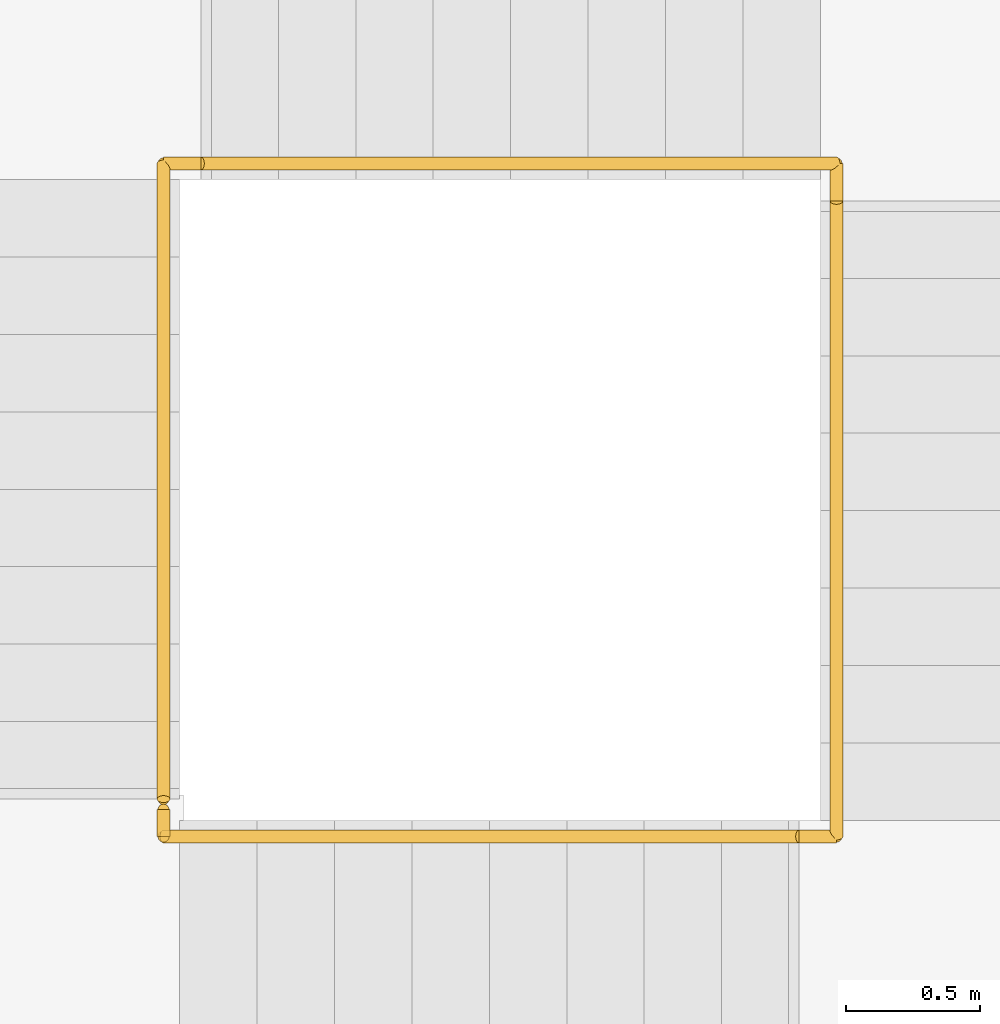
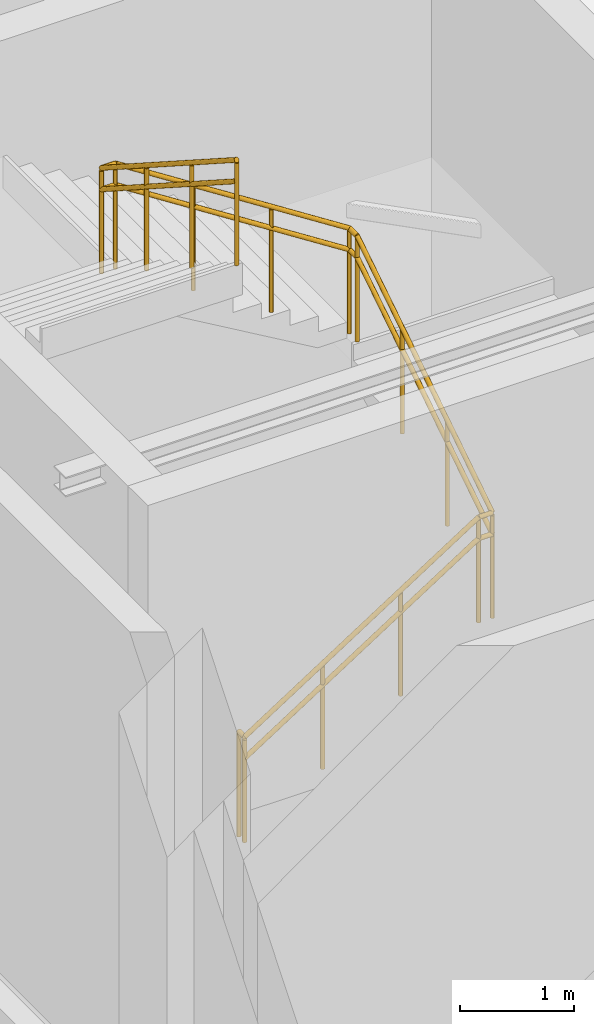
# One storey, part 54 of 58: 3 railings.
"""IFC4 building model written with IfcOpenShell, lengths in metres."""

from ifc_helpers import new_model, si_unit, direction, frame, origin, origin_2d, place, context, subcontext, project, spatial, circle, extrude, material, type_object, element, save


model = new_model("IFC4")

# Units and contexts
model_context = context("Model", 3, precision=1e-05, world=origin(), true_north=direction((0.0, 1.0)))
body_context = subcontext(model_context, "Body", "Model", "MODEL_VIEW")
ifc_project = project(units=[si_unit("LENGTHUNIT", "METRE"), si_unit("AREAUNIT", "SQUARE_METRE"), si_unit("VOLUMEUNIT", "CUBIC_METRE"), si_unit("PLANEANGLEUNIT", "RADIAN"), si_unit("MASSUNIT", "GRAM", prefix="KILO")], contexts=[model_context])

# Site, building, storey
site_placement = place(None, origin())
site = spatial("IfcSite", under=ifc_project, at=site_placement, CompositionType="ELEMENT")
building_placement = place(site_placement, origin())
building = spatial("IfcBuilding", under=site, at=building_placement, Name="Sillaruma Civic Art Gallery", CompositionType="ELEMENT")
storey_placement = place(building_placement, frame((0.0, 0.0, 22.43994140625)))
storey = spatial("IfcBuildingStorey", under=building, at=storey_placement, Name="L04", CompositionType="ELEMENT", Elevation=22.43994140625)

# Railings
ifc_material = material(Name="Stainless Steel AISI 316", Category="steel")
railing_type_1 = type_object("IfcRailingType", Name="RAL-BAL-1150", PredefinedType="BALUSTRADE", material=ifc_material)
railing_1_placement = place(storey_placement, frame((64.739990234375, 33.389892578125, 0.0)))
element("IfcRailing", 1, at=railing_1_placement, inside=storey, type_object=railing_type_1, Name="Stair Floor Edge Guard (ST-03:L04)", PredefinedType="BALUSTRADE", context=body_context, shape_type="SweptSolid", body=[
    extrude(circle(Radius=0.02392578125, at=origin_2d()), frame((0.0, 0.0, 1.1259765625), z_axis=(0.0, 1.0, 0.0), x_axis=(-1.0, 0.0, 0.0)), (0.0, 0.0, 1.0), 0.10009765625),
    extrude(circle(Radius=0.02099609375, at=origin_2d()), origin(), (0.0, 0.0, 1.0), 1.101806640625),
    extrude(circle(Radius=0.02099609375, at=origin_2d()), frame((0.0, 0.10009765625, 0.0)), (0.0, 0.0, 1.0), 1.101806640625),
])
railing_2_placement = place(storey_placement, frame((64.739990234375, 33.389892578125, 0.0)))
element("IfcRailing", 2, at=railing_2_placement, inside=storey, type_object=railing_type_1, Name="Stair Well Balustrade (ST-03-L04)", PredefinedType="BALUSTRADE", context=body_context, shape_type="SweptSolid", body=[
    extrude(circle(Radius=0.02392578125, at=origin_2d()), frame((0.0, 0.0, 1.1259765625), z_axis=(0.84118688567, 0.0, 0.540744508411), x_axis=(0.0, 1.0, 0.0)), (0.0, 0.0, 1.0), 2.82958984375),
    extrude(circle(Radius=0.02392578125, at=origin_2d()), frame((2.380126953125, 0.0, 2.65576171875), z_axis=(1.0, 0.0, 0.0), x_axis=(0.0, 1.0, 0.0)), (0.0, 0.0, 1.0), 0.139892578125),
    extrude(circle(Radius=0.02392578125, at=origin_2d()), frame((2.52001953125, 0.0, 2.65576171875), z_axis=(0.0, 0.84118688567, 0.540744508411), x_axis=(-1.0, 0.0, 0.0)), (0.0, 0.0, 1.0), 2.82958984375),
    extrude(circle(Radius=0.02392578125, at=origin_2d()), frame((2.52001953125, 2.380126953125, 4.18603515625), z_axis=(0.0, 1.0, 0.0), x_axis=(-1.0, 0.0, 0.0)), (0.0, 0.0, 1.0), 0.139892578125),
    extrude(circle(Radius=0.02392578125, at=origin_2d()), frame((2.52001953125, 2.52001953125, 4.18603515625), z_axis=(-0.84118688567, 0.0, 0.540744508411), x_axis=(0.0, -1.0, 0.0)), (0.0, 0.0, 1.0), 2.82958984375),
    extrude(circle(Radius=0.02392578125, at=origin_2d()), frame((0.139892578125, 2.52001953125, 5.7158203125), z_axis=(-1.0, 0.0, 0.0), x_axis=(0.0, -1.0, 0.0)), (0.0, 0.0, 1.0), 0.139892578125),
    extrude(circle(Radius=0.02392578125, at=origin_2d()), frame((0.0, 2.52001953125, 5.7158203125), z_axis=(0.0, -0.841161652958, 0.540783758626), x_axis=(1.0, 0.0, 0.0)), (0.0, 0.0, 1.0), 2.829345703125),
    extrude(circle(Radius=0.02099609375, at=origin_2d()), origin(), (0.0, 0.0, 1.0), 1.101806640625),
    extrude(circle(Radius=0.02099609375, at=origin_2d()), frame((0.79345703125, 0.0, 0.510009765625)), (0.0, 0.0, 1.0), 1.101806640625),
    extrude(circle(Radius=0.02099609375, at=origin_2d()), frame((1.586669921875, 0.0, 1.02001953125)), (0.0, 0.0, 1.0), 1.101806640625),
    extrude(circle(Radius=0.02099609375, at=origin_2d()), frame((2.380126953125, 0.0, 1.530029296875)), (0.0, 0.0, 1.0), 1.101806640625),
    extrude(circle(Radius=0.02099609375, at=origin_2d()), frame((2.52001953125, 0.0, 1.530029296875)), (0.0, 0.0, 1.0), 1.101806640625),
    extrude(circle(Radius=0.02099609375, at=origin_2d()), frame((2.52001953125, 0.79345703125, 2.0400390625)), (0.0, 0.0, 1.0), 1.101806640625),
    extrude(circle(Radius=0.02099609375, at=origin_2d()), frame((2.52001953125, 1.586669921875, 2.550048828125)), (0.0, 0.0, 1.0), 1.101806640625),
    extrude(circle(Radius=0.02099609375, at=origin_2d()), frame((2.52001953125, 2.380126953125, 3.06005859375)), (0.0, 0.0, 1.0), 1.101806640625),
    extrude(circle(Radius=0.02099609375, at=origin_2d()), frame((2.52001953125, 2.52001953125, 3.06005859375)), (0.0, 0.0, 1.0), 1.101806640625),
    extrude(circle(Radius=0.02099609375, at=origin_2d()), frame((1.7265625, 2.52001953125, 3.570068359375)), (0.0, 0.0, 1.0), 1.101806640625),
    extrude(circle(Radius=0.02099609375, at=origin_2d()), frame((0.933349609375, 2.52001953125, 4.080078125)), (0.0, 0.0, 1.0), 1.101806640625),
    extrude(circle(Radius=0.02099609375, at=origin_2d()), frame((0.139892578125, 2.52001953125, 4.590087890625)), (0.0, 0.0, 1.0), 1.101806640625),
    extrude(circle(Radius=0.02099609375, at=origin_2d()), frame((0.0, 2.52001953125, 4.590087890625)), (0.0, 0.0, 1.0), 1.101806640625),
    extrude(circle(Radius=0.02099609375, at=origin_2d()), frame((0.0, 1.726806640625, 5.10009765625)), (0.0, 0.0, 1.0), 1.101806640625),
    extrude(circle(Radius=0.02099609375, at=origin_2d()), frame((0.0, 0.933349609375, 5.610107421875)), (0.0, 0.0, 1.0), 1.101806640625),
    extrude(circle(Radius=0.02099609375, at=origin_2d()), frame((0.0, 0.14013671875, 6.1201171875)), (0.0, 0.0, 1.0), 1.101806640625),
])
railing_type_2 = type_object("IfcRailingType", Name="RAL-HND-920", PredefinedType="HANDRAIL", material=ifc_material)
railing_3_placement = place(storey_placement, frame((64.739990234375, 33.389892578125, 0.0)))
element("IfcRailing", 3, at=railing_3_placement, inside=storey, type_object=railing_type_2, Name="Stair Continuous Handrail (ST-03-L04)", PredefinedType="HANDRAIL", context=body_context, shape_type="SweptSolid", body=[
    extrude(circle(Radius=0.02392578125, at=origin_2d()), frame((0.0, 0.0, 0.89599609375), z_axis=(0.84118688567, 0.0, 0.540744508411), x_axis=(0.0, 1.0, 0.0)), (0.0, 0.0, 1.0), 2.82958984375),
    extrude(circle(Radius=0.02392578125, at=origin_2d()), frame((2.380126953125, 0.0, 2.42578125), z_axis=(1.0, 0.0, 0.0), x_axis=(0.0, 1.0, 0.0)), (0.0, 0.0, 1.0), 0.139892578125),
    extrude(circle(Radius=0.02392578125, at=origin_2d()), frame((2.52001953125, 0.0, 2.42578125), z_axis=(0.0, 0.84118688567, 0.540744508411), x_axis=(-1.0, 0.0, 0.0)), (0.0, 0.0, 1.0), 2.82958984375),
    extrude(circle(Radius=0.02392578125, at=origin_2d()), frame((2.52001953125, 2.380126953125, 3.9560546875), z_axis=(0.0, 1.0, 0.0), x_axis=(-1.0, 0.0, 0.0)), (0.0, 0.0, 1.0), 0.139892578125),
    extrude(circle(Radius=0.02392578125, at=origin_2d()), frame((2.52001953125, 2.52001953125, 3.9560546875), z_axis=(-0.84118688567, 0.0, 0.540744508411), x_axis=(0.0, -1.0, 0.0)), (0.0, 0.0, 1.0), 2.82958984375),
    extrude(circle(Radius=0.02392578125, at=origin_2d()), frame((0.139892578125, 2.52001953125, 5.48583984375), z_axis=(-1.0, 0.0, 0.0), x_axis=(0.0, -1.0, 0.0)), (0.0, 0.0, 1.0), 0.139892578125),
    extrude(circle(Radius=0.02392578125, at=origin_2d()), frame((0.0, 2.52001953125, 5.48583984375), z_axis=(0.0, -0.841161652958, 0.540783758626), x_axis=(1.0, 0.0, 0.0)), (0.0, 0.0, 1.0), 2.829345703125),
    extrude(circle(Radius=0.02099609375, at=origin_2d()), origin(), (0.0, 0.0, 1.0), 0.871826171875),
    extrude(circle(Radius=0.02099609375, at=origin_2d()), frame((0.79345703125, 0.0, 0.510009765625)), (0.0, 0.0, 1.0), 0.871826171875),
    extrude(circle(Radius=0.02099609375, at=origin_2d()), frame((1.586669921875, 0.0, 1.02001953125)), (0.0, 0.0, 1.0), 0.871826171875),
    extrude(circle(Radius=0.02099609375, at=origin_2d()), frame((2.380126953125, 0.0, 1.530029296875)), (0.0, 0.0, 1.0), 0.871826171875),
    extrude(circle(Radius=0.02099609375, at=origin_2d()), frame((2.52001953125, 0.0, 1.530029296875)), (0.0, 0.0, 1.0), 0.871826171875),
    extrude(circle(Radius=0.02099609375, at=origin_2d()), frame((2.52001953125, 0.79345703125, 2.0400390625)), (0.0, 0.0, 1.0), 0.871826171875),
    extrude(circle(Radius=0.02099609375, at=origin_2d()), frame((2.52001953125, 1.586669921875, 2.550048828125)), (0.0, 0.0, 1.0), 0.871826171875),
    extrude(circle(Radius=0.02099609375, at=origin_2d()), frame((2.52001953125, 2.380126953125, 3.06005859375)), (0.0, 0.0, 1.0), 0.871826171875),
    extrude(circle(Radius=0.02099609375, at=origin_2d()), frame((2.52001953125, 2.52001953125, 3.06005859375)), (0.0, 0.0, 1.0), 0.871826171875),
    extrude(circle(Radius=0.02099609375, at=origin_2d()), frame((1.7265625, 2.52001953125, 3.570068359375)), (0.0, 0.0, 1.0), 0.871826171875),
    extrude(circle(Radius=0.02099609375, at=origin_2d()), frame((0.933349609375, 2.52001953125, 4.080078125)), (0.0, 0.0, 1.0), 0.871826171875),
    extrude(circle(Radius=0.02099609375, at=origin_2d()), frame((0.139892578125, 2.52001953125, 4.590087890625)), (0.0, 0.0, 1.0), 0.871826171875),
    extrude(circle(Radius=0.02099609375, at=origin_2d()), frame((0.0, 2.52001953125, 4.590087890625)), (0.0, 0.0, 1.0), 0.871826171875),
    extrude(circle(Radius=0.02099609375, at=origin_2d()), frame((0.0, 1.726806640625, 5.10009765625)), (0.0, 0.0, 1.0), 0.871826171875),
    extrude(circle(Radius=0.02099609375, at=origin_2d()), frame((0.0, 0.933349609375, 5.610107421875)), (0.0, 0.0, 1.0), 0.871826171875),
    extrude(circle(Radius=0.02099609375, at=origin_2d()), frame((0.0, 0.14013671875, 6.1201171875)), (0.0, 0.0, 1.0), 0.871826171875),
])

save(model, "model.ifc")
